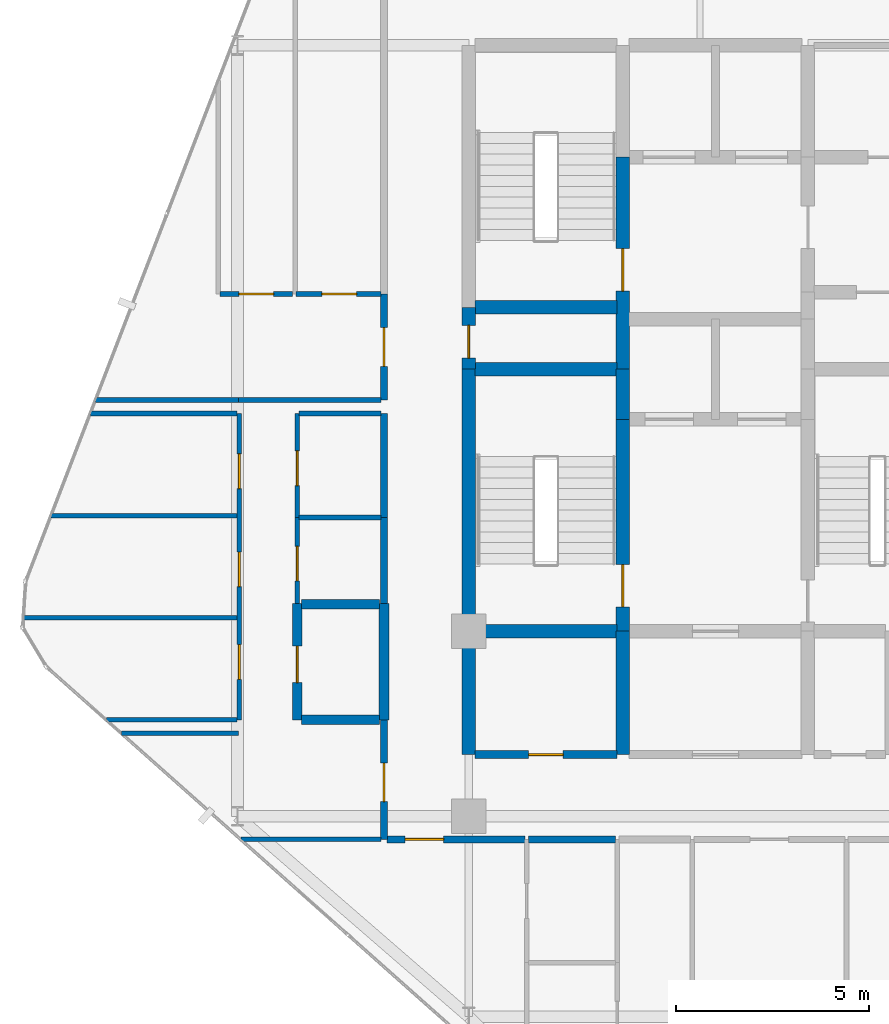
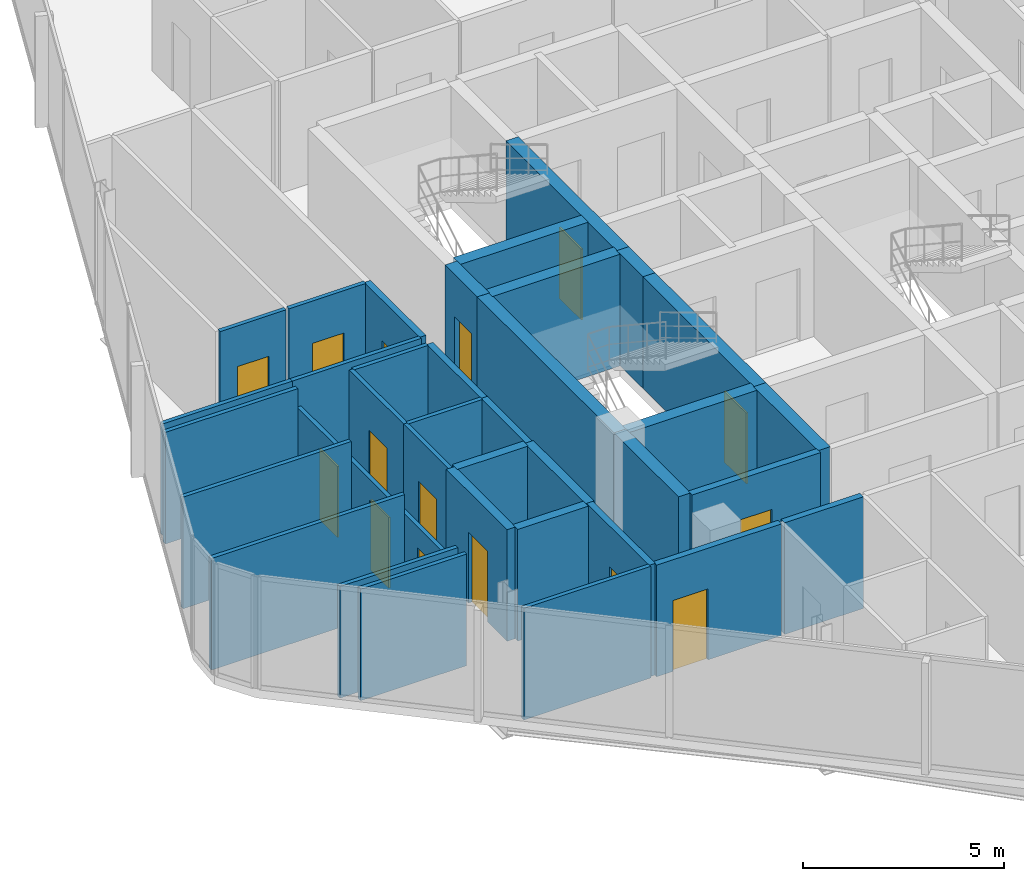
# One storey, part 25 of 31: 36 walls, 15 doors, 15 openings.
"""IFC4 building model written with IfcOpenShell, lengths in metres."""

from ifc_helpers import new_model, si_unit, direction, frame, frame_2d, origin, place, context, subcontext, project, spatial, rectangle, extrude, material, layer, layer_set, type_object, element, fill, save


model = new_model("IFC4")

# Units and contexts
model_context = context("Model", 3, precision=1e-05, world=origin(), true_north=direction((0.0, 1.0)))
body_context = subcontext(model_context, "Body", "Model", "MODEL_VIEW")
ifc_project = project(units=[si_unit("LENGTHUNIT", "METRE"), si_unit("AREAUNIT", "SQUARE_METRE"), si_unit("VOLUMEUNIT", "CUBIC_METRE"), si_unit("PLANEANGLEUNIT", "RADIAN"), si_unit("MASSUNIT", "GRAM", prefix="KILO")], contexts=[model_context])

# Site, building, storey
site_placement = place(None, origin())
site = spatial("IfcSite", under=ifc_project, at=site_placement, CompositionType="ELEMENT")
building_placement = place(site_placement, origin())
building = spatial("IfcBuilding", under=site, at=building_placement, Name="Keshet Zoharim Tower", CompositionType="ELEMENT")
storey_placement = place(building_placement, frame((0.0, 0.0, 140.89990234375)))
storey = spatial("IfcBuildingStorey", under=building, at=storey_placement, Name="L34", CompositionType="ELEMENT", Elevation=140.89990234375)

# Walls
ifc_material_1 = material(Name="Concrete C60/75", Category="concrete")
ifc_layer_1 = layer(ifc_material_1, 0.35009765625)
ifc_layer_set_1 = layer_set([ifc_layer_1], Name="Concrete C60/75")
wall_type_1 = type_object("IfcWallType", Name="WL-CORE-350", PredefinedType="SHEAR", material=ifc_layer_set_1)
wall_1_placement = place(storey_placement, frame((15.0, 19.5, 0.0), z_axis=(0.0, 0.0, 1.0), x_axis=(0.0, 1.0, 0.0)))
element("IfcWall", 1, at=wall_1_placement, inside=storey, type_object=wall_type_1, Name="L34 Core Shear Wall 013", PredefinedType="SHEAR", context=body_context, shape_type="SweptSolid", body=[
    extrude(rectangle(XDim=3.199951171875, YDim=0.35009765625, at=frame_2d((1.60009765625, 0.0))), origin(), (0.0, 0.0, 1.0), 3.385009765625),
])
wall_2_placement = place(storey_placement, frame((15.0, 22.699951171875, 0.0), z_axis=(0.0, 0.0, 1.0), x_axis=(0.0, 1.0, 0.0)))
element("IfcWall", 2, at=wall_2_placement, inside=storey, type_object=wall_type_1, Name="L34 Core Shear Wall 014", PredefinedType="SHEAR", context=body_context, shape_type="SweptSolid", body=[
    extrude(rectangle(XDim=6.800048828125, YDim=0.35009765625, at=frame_2d((3.39990234375, 0.0))), origin(), (0.0, 0.0, 1.0), 3.385009765625),
])

# Wall, opening, door
wall_3_placement = place(storey_placement, frame((15.0, 29.5, 0.0), z_axis=(0.0, 0.0, 1.0), x_axis=(0.0, 1.0, 0.0)))
wall_3 = element("IfcWall", 3, at=wall_3_placement, inside=storey, type_object=wall_type_1, Name="L34 Core Shear Wall 015", PredefinedType="SHEAR", context=body_context, shape_type="SweptSolid", body=[
    extrude(rectangle(XDim=1.60009765625, YDim=0.35009765625, at=frame_2d((0.800048828125, 0.0))), origin(), (0.0, 0.0, 1.0), 3.385009765625),
])
opening_1_placement = place(wall_3_placement, frame((0.287109375, 0.0, 0.0)))
opening_1 = element("IfcOpeningElement", 4, at=opening_1_placement, cuts=wall_3, Name="Opening D-RS85", PredefinedType="OPENING", context=body_context, shape_type="SweptSolid", body=[
    extrude(rectangle(XDim=0.85009765625, YDim=2.10009765625, at=frame_2d((0.425048828125, 1.050048828125))), frame((0.0, 0.18505859375, 0.0), z_axis=(0.0, -1.0, 0.0), x_axis=(1.0, 0.0, 0.0)), (0.0, 0.0, 1.0), 0.3701171875),
])
ifc_material_2 = material(Name="Hardwood Timber", Category="wood")
door_type_1 = type_object("IfcDoorType", Name="DR-RIS-085", OperationType="NOTDEFINED", PredefinedType="DOOR", material=ifc_material_2)
door_1_placement = place(opening_1_placement, origin())
door_1 = element("IfcDoor", 5, at=door_1_placement, inside=storey, type_object=door_type_1, Name="L34 Electrical Riser Access Cupboard Door", OperationType="SINGLE_SWING_LEFT", OverallHeight=2.10009765625, OverallWidth=0.85009765625, PredefinedType="DOOR", context=body_context, shape_type="SweptSolid", body=[
    extrude(rectangle(XDim=0.85009765625, YDim=2.10009765625, at=frame_2d((0.425048828125, 1.050048828125))), frame((0.0, 0.02490234375, 0.0), z_axis=(0.0, -1.0, 0.0), x_axis=(1.0, 0.0, 0.0)), (0.0, 0.0, 1.0), 0.050048828125),
])
fill(opening_1, door_1)

# Wall
wall_4_placement = place(storey_placement, frame((19.0, 19.5, 0.0), z_axis=(0.0, 0.0, 1.0), x_axis=(0.0, 1.0, 0.0)))
element("IfcWall", 6, at=wall_4_placement, inside=storey, type_object=wall_type_1, Name="L34 Core Shear Wall 025", PredefinedType="SHEAR", context=body_context, shape_type="SweptSolid", body=[
    extrude(rectangle(XDim=3.199951171875, YDim=0.35009765625, at=frame_2d((1.60009765625, 0.0))), origin(), (0.0, 0.0, 1.0), 3.385009765625),
])

# Wall, opening, door
wall_5_placement = place(storey_placement, frame((19.0, 22.699951171875, 0.0), z_axis=(0.0, 0.0, 1.0), x_axis=(0.0, 1.0, 0.0)))
wall_5 = element("IfcWall", 7, at=wall_5_placement, inside=storey, type_object=wall_type_1, Name="L34 Core Shear Wall 026", PredefinedType="SHEAR", context=body_context, shape_type="SweptSolid", body=[
    extrude(rectangle(XDim=5.5, YDim=0.35009765625, at=frame_2d((2.75, 0.0))), origin(), (0.0, 0.0, 1.0), 3.385009765625),
])
opening_2_placement = place(wall_5_placement, frame((0.631103515625, 0.0, 0.0)))
opening_2 = element("IfcOpeningElement", 8, at=opening_2_placement, cuts=wall_5, Name="Opening D-F611", PredefinedType="OPENING", context=body_context, shape_type="SweptSolid", body=[
    extrude(rectangle(XDim=1.10009765625, YDim=2.14990234375, at=frame_2d((0.550048828125, 1.074951171875))), frame((0.0, 0.18505859375, 0.0), z_axis=(0.0, -1.0, 0.0), x_axis=(1.0, 0.0, 0.0)), (0.0, 0.0, 1.0), 0.3701171875),
])
door_type_2 = type_object("IfcDoorType", Name="DR-FD60-110", OperationType="NOTDEFINED", PredefinedType="DOOR", material=ifc_material_2)
door_2_placement = place(opening_2_placement, origin())
door_2 = element("IfcDoor", 9, at=door_2_placement, inside=storey, type_object=door_type_2, Name="L34 Exit Stair ST-01 Fire Door", OperationType="SINGLE_SWING_RIGHT", OverallHeight=2.14990234375, OverallWidth=1.10009765625, PredefinedType="DOOR", context=body_context, shape_type="SweptSolid", body=[
    extrude(rectangle(XDim=1.10009765625, YDim=2.14990234375, at=frame_2d((0.550048828125, 1.074951171875))), frame((0.0, 0.02490234375, 0.0), z_axis=(0.0, -1.0, 0.0), x_axis=(1.0, 0.0, 0.0)), (0.0, 0.0, 1.0), 0.050048828125),
])
fill(opening_2, door_2)

# Wall
wall_6_placement = place(storey_placement, frame((19.0, 28.199951171875, 0.0), z_axis=(0.0, 0.0, 1.0), x_axis=(0.0, 1.0, 0.0)))
element("IfcWall", 10, at=wall_6_placement, inside=storey, type_object=wall_type_1, Name="L34 Core Shear Wall 027", PredefinedType="SHEAR", context=body_context, shape_type="SweptSolid", body=[
    extrude(rectangle(XDim=1.300048828125, YDim=0.35009765625, at=frame_2d((0.64990234375, 0.0))), origin(), (0.0, 0.0, 1.0), 3.385009765625),
])

# Wall, opening, door
wall_7_placement = place(storey_placement, frame((19.0, 29.5, 0.0), z_axis=(0.0, 0.0, 1.0), x_axis=(0.0, 1.0, 0.0)))
wall_7 = element("IfcWall", 11, at=wall_7_placement, inside=storey, type_object=wall_type_1, Name="L34 Core Shear Wall 028", PredefinedType="SHEAR", context=body_context, shape_type="SweptSolid", body=[
    extrude(rectangle(XDim=5.5, YDim=0.35009765625, at=frame_2d((2.75, 0.0))), origin(), (0.0, 0.0, 1.0), 3.385009765625),
])
opening_3_placement = place(wall_7_placement, frame((2.02490234375, 0.0, 0.0)))
opening_3 = element("IfcOpeningElement", 12, at=opening_3_placement, cuts=wall_7, Name="Opening D-F611", PredefinedType="OPENING", context=body_context, shape_type="SweptSolid", body=[
    extrude(rectangle(XDim=1.10009765625, YDim=2.14990234375, at=frame_2d((0.550048828125, 1.074951171875))), frame((0.0, 0.18505859375, 0.0), z_axis=(0.0, -1.0, 0.0), x_axis=(1.0, 0.0, 0.0)), (0.0, 0.0, 1.0), 0.3701171875),
])
door_3_placement = place(opening_3_placement, origin())
door_3 = element("IfcDoor", 13, at=door_3_placement, inside=storey, type_object=door_type_2, Name="L34 Exit Stair ST-02 Fire Door", OperationType="SINGLE_SWING_LEFT", OverallHeight=2.14990234375, OverallWidth=1.10009765625, PredefinedType="DOOR", context=body_context, shape_type="SweptSolid", body=[
    extrude(rectangle(XDim=1.10009765625, YDim=2.14990234375, at=frame_2d((0.550048828125, 1.074951171875))), frame((0.0, 0.02490234375, 0.0), z_axis=(0.0, -1.0, 0.0), x_axis=(1.0, 0.0, 0.0)), (0.0, 0.0, 1.0), 0.050048828125),
])
fill(opening_3, door_3)

# Walls
for number, where, z_axis, x_axis, name in (
    (14, (15.159912109375, 22.699951171875, 0.0), (0.0, 0.0, 1.0), (1.0, 0.0, 0.0), "L34 Core Shear Wall 151"),
    (15, (15.159912109375, 29.5, 0.0), (0.0, 0.0, 1.0), (1.0, 0.0, 0.0), "L34 Core Shear Wall 174"),
    (16, (15.159912109375, 31.10009765625, 0.0), (0.0, 0.0, 1.0), (1.0, 0.0, 0.0), "L34 Core Shear Wall 177"),
):
    element("IfcWall", number, at=place(storey_placement, frame(where, z_axis=z_axis, x_axis=x_axis)), inside=storey, type_object=wall_type_1, Name=name, PredefinedType="SHEAR", context=body_context, shape_type="SweptSolid", body=[
        extrude(rectangle(XDim=3.68017578125, YDim=0.35009765625, at=frame_2d((1.840087890625, 0.0))), origin(), (0.0, 0.0, 1.0), 3.385009765625),
    ])

# Wall, opening, door
ifc_material_3 = material(Name="Gypsum Plasterboard", Category="gypsum")
ifc_layer_2 = layer(ifc_material_3, 0.179931640625)
ifc_layer_set_2 = layer_set([ifc_layer_2], Name="Gypsum Plasterboard")
wall_type_2 = type_object("IfcWallType", Name="WL-CORR-180", PredefinedType="STANDARD", material=ifc_layer_set_2)
wall_8_placement = place(storey_placement, frame((12.800048828125, 17.300048828125, 0.0), z_axis=(0.0, 0.0, 1.0), x_axis=(0.0, 1.0, 0.0)))
wall_8 = element("IfcWall", 17, at=wall_8_placement, inside=storey, type_object=wall_type_2, Name="L34 Interior Wall 007", PredefinedType="STANDARD", context=body_context, shape_type="SweptSolid", body=[
    extrude(rectangle(XDim=3.099853515625, YDim=0.179931640625, at=frame_2d((1.5498046875, 0.0))), origin(), (0.0, 0.0, 1.0), 3.385009765625),
])
opening_4_placement = place(wall_8_placement, frame((0.97802734375, 0.0, 0.0)))
opening_4 = element("IfcOpeningElement", 18, at=opening_4_placement, cuts=wall_8, Name="Opening D-F310", PredefinedType="OPENING", context=body_context, shape_type="SweptSolid", body=[
    extrude(rectangle(XDim=1.0, YDim=2.14990234375, at=frame_2d((0.5, 1.074951171875))), frame((0.0, 0.10009765625, 0.0), z_axis=(0.0, -1.0, 0.0), x_axis=(1.0, 0.0, 0.0)), (0.0, 0.0, 1.0), 0.199951171875),
])
door_type_3 = type_object("IfcDoorType", Name="DR-FD30-100", OperationType="NOTDEFINED", PredefinedType="DOOR", material=ifc_material_2)
door_4_placement = place(opening_4_placement, origin())
door_4 = element("IfcDoor", 19, at=door_4_placement, inside=storey, type_object=door_type_3, Name="Apartment 3407 Entrance Door", OperationType="SINGLE_SWING_LEFT", OverallHeight=2.14990234375, OverallWidth=1.0, PredefinedType="DOOR", context=body_context, shape_type="SweptSolid", body=[
    extrude(rectangle(XDim=1.0, YDim=2.14990234375, at=frame_2d((0.5, 1.074951171875))), frame((0.0, 0.02490234375, 0.0), z_axis=(0.0, -1.0, 0.0), x_axis=(1.0, 0.0, 0.0)), (0.0, 0.0, 1.0), 0.050048828125),
])
fill(opening_4, door_4)

# Walls
wall_9_placement = place(storey_placement, frame((12.800048828125, 23.4208984375, 0.0), z_axis=(0.0, 0.0, 1.0), x_axis=(0.0, 1.0, 0.0)))
element("IfcWall", 20, at=wall_9_placement, inside=storey, type_object=wall_type_2, Name="L34 Interior Wall 009", PredefinedType="STANDARD", context=body_context, shape_type="SweptSolid", body=[
    extrude(rectangle(XDim=2.22607421875, YDim=0.179931640625, at=frame_2d((1.113037109375, 0.0))), origin(), (0.0, 0.0, 1.0), 3.385009765625),
])
wall_10_placement = place(storey_placement, frame((12.800048828125, 25.64697265625, 0.0), z_axis=(0.0, 0.0, 1.0), x_axis=(0.0, 1.0, 0.0)))
element("IfcWall", 21, at=wall_10_placement, inside=storey, type_object=wall_type_2, Name="L34 Interior Wall 010", PredefinedType="STANDARD", context=body_context, shape_type="SweptSolid", body=[
    extrude(rectangle(XDim=2.703125, YDim=0.179931640625, at=frame_2d((1.3515625, 0.0))), origin(), (0.0, 0.0, 1.0), 3.385009765625),
])

# Wall, opening, door
wall_11_placement = place(storey_placement, frame((12.800048828125, 28.699951171875, 0.0), z_axis=(0.0, 0.0, 1.0), x_axis=(0.0, 1.0, 0.0)))
wall_11 = element("IfcWall", 22, at=wall_11_placement, inside=storey, type_object=wall_type_2, Name="L34 Interior Wall 011", PredefinedType="STANDARD", context=body_context, shape_type="SweptSolid", body=[
    extrude(rectangle(XDim=2.75, YDim=0.179931640625, at=frame_2d((1.375, 0.0))), origin(), (0.0, 0.0, 1.0), 3.385009765625),
])
opening_5_placement = place(wall_11_placement, frame((0.875, 0.0, 0.0)))
opening_5 = element("IfcOpeningElement", 23, at=opening_5_placement, cuts=wall_11, Name="Opening D-F310", PredefinedType="OPENING", context=body_context, shape_type="SweptSolid", body=[
    extrude(rectangle(XDim=1.0, YDim=2.14990234375, at=frame_2d((0.5, 1.074951171875))), frame((0.0, 0.10009765625, 0.0), z_axis=(0.0, -1.0, 0.0), x_axis=(1.0, 0.0, 0.0)), (0.0, 0.0, 1.0), 0.199951171875),
])
door_5_placement = place(opening_5_placement, origin())
door_5 = element("IfcDoor", 24, at=door_5_placement, inside=storey, type_object=door_type_3, Name="Apartment 3408 Entrance Door", OperationType="SINGLE_SWING_RIGHT", OverallHeight=2.14990234375, OverallWidth=1.0, PredefinedType="DOOR", context=body_context, shape_type="SweptSolid", body=[
    extrude(rectangle(XDim=1.0, YDim=2.14990234375, at=frame_2d((0.5, 1.074951171875))), frame((0.0, 0.02490234375, 0.0), z_axis=(0.0, -1.0, 0.0), x_axis=(1.0, 0.0, 0.0)), (0.0, 0.0, 1.0), 0.050048828125),
])
fill(opening_5, door_5)

wall_12_placement = place(storey_placement, frame((12.875, 17.300048828125, 0.0), z_axis=(0.0, 0.0, 1.0), x_axis=(1.0, 0.0, 0.0)))
wall_12 = element("IfcWall", 25, at=wall_12_placement, inside=storey, type_object=wall_type_2, Name="L34 Interior Wall 129", PredefinedType="STANDARD", context=body_context, shape_type="SweptSolid", body=[
    extrude(rectangle(XDim=3.580078125, YDim=0.179931640625, at=frame_2d((1.7900390625, 0.0))), origin(), (0.0, 0.0, 1.0), 3.385009765625),
])
opening_6_placement = place(wall_12_placement, frame((0.472900390625, 0.0, 0.0)))
opening_6 = element("IfcOpeningElement", 26, at=opening_6_placement, cuts=wall_12, Name="Opening D-F310", PredefinedType="OPENING", context=body_context, shape_type="SweptSolid", body=[
    extrude(rectangle(XDim=1.0, YDim=2.14990234375, at=frame_2d((0.5, 1.074951171875))), frame((0.0, 0.10009765625, 0.0), z_axis=(0.0, -1.0, 0.0), x_axis=(1.0, 0.0, 0.0)), (0.0, 0.0, 1.0), 0.199951171875),
])
door_6_placement = place(opening_6_placement, origin())
door_6 = element("IfcDoor", 27, at=door_6_placement, inside=storey, type_object=door_type_3, Name="Apartment 3401 Entrance Door", OperationType="SINGLE_SWING_LEFT", OverallHeight=2.14990234375, OverallWidth=1.0, PredefinedType="DOOR", context=body_context, shape_type="SweptSolid", body=[
    extrude(rectangle(XDim=1.0, YDim=2.14990234375, at=frame_2d((0.5, 1.074951171875))), frame((0.0, 0.02490234375, 0.0), z_axis=(0.0, -1.0, 0.0), x_axis=(1.0, 0.0, 0.0)), (0.0, 0.0, 1.0), 0.050048828125),
])
fill(opening_6, door_6)

# Wall
wall_13_placement = place(storey_placement, frame((16.544921875, 17.300048828125, 0.0), z_axis=(0.0, 0.0, 1.0), x_axis=(1.0, 0.0, 0.0)))
element("IfcWall", 28, at=wall_13_placement, inside=storey, type_object=wall_type_2, Name="L34 Interior Wall 130", PredefinedType="STANDARD", context=body_context, shape_type="SweptSolid", body=[
    extrude(rectangle(XDim=2.260009765625, YDim=0.179931640625, at=frame_2d((1.1298828125, 0.0))), origin(), (0.0, 0.0, 1.0), 3.385009765625),
])

# Wall, opening, door
ifc_material_4 = material(Name="Concrete C50/60", Category="concrete")
ifc_layer_3 = layer(ifc_material_4, 0.199951171875)
ifc_layer_set_3 = layer_set([ifc_layer_3], Name="Concrete C50/60")
wall_type_3 = type_object("IfcWallType", Name="WL-FIRE-200", PredefinedType="STANDARD", material=ifc_layer_set_3)
wall_14_placement = place(storey_placement, frame((15.159912109375, 19.5, 0.0), z_axis=(0.0, 0.0, 1.0), x_axis=(1.0, 0.0, 0.0)))
wall_14 = element("IfcWall", 29, at=wall_14_placement, inside=storey, type_object=wall_type_3, Name="L34 Interior Wall 143", PredefinedType="STANDARD", context=body_context, shape_type="SweptSolid", body=[
    extrude(rectangle(XDim=3.68017578125, YDim=0.199951171875, at=frame_2d((1.840087890625, 0.0))), origin(), (0.0, 0.0, 1.0), 3.385009765625),
])
opening_7_placement = place(wall_14_placement, frame((1.389892578125, 0.0, 0.0)))
opening_7 = element("IfcOpeningElement", 30, at=opening_7_placement, cuts=wall_14, Name="Opening D-F690", PredefinedType="OPENING", context=body_context, shape_type="SweptSolid", body=[
    extrude(rectangle(XDim=0.89990234375, YDim=2.14990234375, at=frame_2d((0.449951171875, 1.074951171875))), frame((0.0, 0.10986328125, 0.0), z_axis=(0.0, -1.0, 0.0), x_axis=(1.0, 0.0, 0.0)), (0.0, 0.0, 1.0), 0.219970703125),
])
door_type_4 = type_object("IfcDoorType", Name="DR-FD60-090", OperationType="NOTDEFINED", PredefinedType="DOOR", material=ifc_material_2)
door_7_placement = place(opening_7_placement, origin())
door_7 = element("IfcDoor", 31, at=door_7_placement, inside=storey, type_object=door_type_4, Name="L34 Refuse Room Door", OperationType="SINGLE_SWING_RIGHT", OverallHeight=2.14990234375, OverallWidth=0.89990234375, PredefinedType="DOOR", context=body_context, shape_type="SweptSolid", body=[
    extrude(rectangle(XDim=0.89990234375, YDim=2.14990234375, at=frame_2d((0.449951171875, 1.074951171875))), frame((0.0, 0.02490234375, 0.0), z_axis=(0.0, -1.0, 0.0), x_axis=(1.0, 0.0, 0.0)), (0.0, 0.0, 1.0), 0.050048828125),
])
fill(opening_7, door_7)

ifc_layer_4 = layer(ifc_material_4, 0.25)
ifc_layer_set_4 = layer_set([ifc_layer_4], Name="Concrete C50/60")
wall_type_4 = type_object("IfcWallType", Name="WL-MAMAD-250", PredefinedType="STANDARD", material=ifc_layer_set_4)
wall_15_placement = place(storey_placement, frame((10.550048828125, 20.39990234375, 0.0), z_axis=(0.0, 0.0, 1.0), x_axis=(0.0, 1.0, 0.0)))
wall_15 = element("IfcWall", 32, at=wall_15_placement, inside=storey, type_object=wall_type_4, Name="L34 Interior Wall 004", PredefinedType="STANDARD", context=body_context, shape_type="SweptSolid", body=[
    extrude(rectangle(XDim=3.02099609375, YDim=0.25, at=frame_2d((1.510498046875, 0.0))), origin(), (0.0, 0.0, 1.0), 3.385009765625),
])
opening_8_placement = place(wall_15_placement, frame((0.964111328125, 0.0, 0.0)))
opening_8 = element("IfcOpeningElement", 33, at=opening_8_placement, cuts=wall_15, Name="Opening D-F695", PredefinedType="OPENING", context=body_context, shape_type="SweptSolid", body=[
    extrude(rectangle(XDim=0.949951171875, YDim=2.14990234375, at=frame_2d((0.47509765625, 1.074951171875))), frame((0.0, 0.135009765625, 0.0), z_axis=(0.0, -1.0, 0.0), x_axis=(1.0, 0.0, 0.0)), (0.0, 0.0, 1.0), 0.27001953125),
])
door_type_5 = type_object("IfcDoorType", Name="DR-FD60-095", OperationType="NOTDEFINED", PredefinedType="DOOR", material=ifc_material_2)
door_8_placement = place(opening_8_placement, origin())
door_8 = element("IfcDoor", 34, at=door_8_placement, inside=storey, type_object=door_type_5, Name="Apartment 3407 Study and Shelter Room Door", OperationType="SINGLE_SWING_RIGHT", OverallHeight=2.14990234375, OverallWidth=0.949951171875, PredefinedType="DOOR", context=body_context, shape_type="SweptSolid", body=[
    extrude(rectangle(XDim=0.949951171875, YDim=2.14990234375, at=frame_2d((0.47509765625, 1.074951171875))), frame((0.0, 0.02490234375, 0.0), z_axis=(0.0, -1.0, 0.0), x_axis=(1.0, 0.0, 0.0)), (0.0, 0.0, 1.0), 0.050048828125),
])
fill(opening_8, door_8)

# Walls
wall_16_placement = place(storey_placement, frame((12.800048828125, 20.39990234375, 0.0), z_axis=(0.0, 0.0, 1.0), x_axis=(0.0, 1.0, 0.0)))
element("IfcWall", 35, at=wall_16_placement, inside=storey, type_object=wall_type_4, Name="L34 Interior Wall 008", PredefinedType="STANDARD", context=body_context, shape_type="SweptSolid", body=[
    extrude(rectangle(XDim=3.02099609375, YDim=0.25, at=frame_2d((1.510498046875, 0.0))), origin(), (0.0, 0.0, 1.0), 3.385009765625),
])
for number, where, z_axis, x_axis, name in (
    (36, (10.659912109375, 20.39990234375, 0.0), (0.0, 0.0, 1.0), (1.0, 0.0, 0.0), "L34 Interior Wall 150"),
    (37, (10.659912109375, 23.39990234375, 0.0), (0.0, 0.0, 1.0), (1.0, 0.0, 0.0), "L34 Interior Wall 158"),
):
    element("IfcWall", number, at=place(storey_placement, frame(where, z_axis=z_axis, x_axis=x_axis)), inside=storey, type_object=wall_type_4, Name=name, PredefinedType="STANDARD", context=body_context, shape_type="SweptSolid", body=[
        extrude(rectangle(XDim=2.030029296875, YDim=0.25, at=frame_2d((1.01513671875, 0.0))), origin(), (0.0, 0.0, 1.0), 3.385009765625),
    ])

# Wall, openings, doors
ifc_layer_5 = layer(ifc_material_3, 0.1201171875)
ifc_layer_set_5 = layer_set([ifc_layer_5], Name="Gypsum Plasterboard")
wall_type_5 = type_object("IfcWallType", Name="WL-PART-120", PredefinedType="PARTITIONING", material=ifc_layer_set_5)
wall_17_placement = place(storey_placement, frame((9.050048828125, 20.39990234375, 0.0), z_axis=(0.0, 0.0, 1.0), x_axis=(0.0, 1.0, 0.0)))
wall_17 = element("IfcWall", 38, at=wall_17_placement, inside=storey, type_object=wall_type_5, Name="L34 Interior Wall 002", PredefinedType="PARTITIONING", context=body_context, shape_type="SweptSolid", body=[
    extrude(rectangle(XDim=7.9501953125, YDim=0.1201171875, at=frame_2d((3.97509765625, 0.0))), origin(), (0.0, 0.0, 1.0), 2.78515625),
])
opening_9_placement = place(wall_17_placement, frame((1.050048828125, 0.0, 0.0)))
opening_9 = element("IfcOpeningElement", 39, at=opening_9_placement, cuts=wall_17, Name="Opening D-IN90", PredefinedType="OPENING", context=body_context, shape_type="SweptSolid", body=[
    extrude(rectangle(XDim=0.89990234375, YDim=2.14990234375, at=frame_2d((0.449951171875, 1.074951171875))), frame((0.0, 0.070068359375, 0.0), z_axis=(0.0, -1.0, 0.0), x_axis=(1.0, 0.0, 0.0)), (0.0, 0.0, 1.0), 0.14013671875),
])
opening_10_placement = place(wall_17_placement, frame((3.455078125, 0.0, 0.0)))
opening_10 = element("IfcOpeningElement", 40, at=opening_10_placement, cuts=wall_17, Name="Opening D-IN90", PredefinedType="OPENING", context=body_context, shape_type="SweptSolid", body=[
    extrude(rectangle(XDim=0.89990234375, YDim=2.14990234375, at=frame_2d((0.449951171875, 1.074951171875))), frame((0.0, 0.070068359375, 0.0), z_axis=(0.0, -1.0, 0.0), x_axis=(1.0, 0.0, 0.0)), (0.0, 0.0, 1.0), 0.14013671875),
])
opening_11_placement = place(wall_17_placement, frame((6.0, 0.0, 0.0)))
opening_11 = element("IfcOpeningElement", 41, at=opening_11_placement, cuts=wall_17, Name="Opening D-IN90", PredefinedType="OPENING", context=body_context, shape_type="SweptSolid", body=[
    extrude(rectangle(XDim=0.89990234375, YDim=2.14990234375, at=frame_2d((0.449951171875, 1.074951171875))), frame((0.0, 0.070068359375, 0.0), z_axis=(0.0, -1.0, 0.0), x_axis=(1.0, 0.0, 0.0)), (0.0, 0.0, 1.0), 0.14013671875),
])
door_type_6 = type_object("IfcDoorType", Name="DR-INT-090", OperationType="NOTDEFINED", PredefinedType="DOOR", material=ifc_material_2)
door_9_placement = place(opening_9_placement, origin())
door_9 = element("IfcDoor", 42, at=door_9_placement, inside=storey, type_object=door_type_6, Name="Apartment 3407 Bedroom 1 Door", OperationType="SINGLE_SWING_LEFT", OverallHeight=2.14990234375, OverallWidth=0.89990234375, PredefinedType="DOOR", context=body_context, shape_type="SweptSolid", body=[
    extrude(rectangle(XDim=0.89990234375, YDim=2.14990234375, at=frame_2d((0.449951171875, 1.074951171875))), frame((0.0, 0.02490234375, 0.0), z_axis=(0.0, -1.0, 0.0), x_axis=(1.0, 0.0, 0.0)), (0.0, 0.0, 1.0), 0.050048828125),
])
fill(opening_9, door_9)
door_10_placement = place(opening_10_placement, origin())
door_10 = element("IfcDoor", 43, at=door_10_placement, inside=storey, type_object=door_type_6, Name="Apartment 3407 Bedroom 2 Door", OperationType="SINGLE_SWING_RIGHT", OverallHeight=2.14990234375, OverallWidth=0.89990234375, PredefinedType="DOOR", context=body_context, shape_type="SweptSolid", body=[
    extrude(rectangle(XDim=0.89990234375, YDim=2.14990234375, at=frame_2d((0.449951171875, 1.074951171875))), frame((0.0, 0.02490234375, 0.0), z_axis=(0.0, -1.0, 0.0), x_axis=(1.0, 0.0, 0.0)), (0.0, 0.0, 1.0), 0.050048828125),
])
fill(opening_10, door_10)
door_11_placement = place(opening_11_placement, origin())
door_11 = element("IfcDoor", 44, at=door_11_placement, inside=storey, type_object=door_type_6, Name="Apartment 3407 Bedroom 3 Door", OperationType="SINGLE_SWING_LEFT", OverallHeight=2.14990234375, OverallWidth=0.89990234375, PredefinedType="DOOR", context=body_context, shape_type="SweptSolid", body=[
    extrude(rectangle(XDim=0.89990234375, YDim=2.14990234375, at=frame_2d((0.449951171875, 1.074951171875))), frame((0.0, 0.02490234375, 0.0), z_axis=(0.0, -1.0, 0.0), x_axis=(1.0, 0.0, 0.0)), (0.0, 0.0, 1.0), 0.050048828125),
])
fill(opening_11, door_11)

# Wall, opening, door
wall_18_placement = place(storey_placement, frame((10.550048828125, 25.64697265625, 0.0), z_axis=(0.0, 0.0, 1.0), x_axis=(0.0, 1.0, 0.0)))
wall_18 = element("IfcWall", 45, at=wall_18_placement, inside=storey, type_object=wall_type_5, Name="L34 Interior Wall 006", PredefinedType="PARTITIONING", context=body_context, shape_type="SweptSolid", body=[
    extrude(rectangle(XDim=2.703125, YDim=0.1201171875, at=frame_2d((1.3515625, 0.0))), origin(), (0.0, 0.0, 1.0), 3.385009765625),
])
opening_12_placement = place(wall_18_placement, frame((0.830078125, 0.0, 0.0)))
opening_12 = element("IfcOpeningElement", 46, at=opening_12_placement, cuts=wall_18, Name="Opening D-IN90", PredefinedType="OPENING", context=body_context, shape_type="SweptSolid", body=[
    extrude(rectangle(XDim=0.89990234375, YDim=2.14990234375, at=frame_2d((0.449951171875, 1.074951171875))), frame((0.0, 0.070068359375, 0.0), z_axis=(0.0, -1.0, 0.0), x_axis=(1.0, 0.0, 0.0)), (0.0, 0.0, 1.0), 0.14013671875),
])
door_12_placement = place(opening_12_placement, origin())
door_12 = element("IfcDoor", 47, at=door_12_placement, inside=storey, type_object=door_type_6, Name="Apartment 3407 Kitchen Door", OperationType="SINGLE_SWING_RIGHT", OverallHeight=2.14990234375, OverallWidth=0.89990234375, PredefinedType="DOOR", context=body_context, shape_type="SweptSolid", body=[
    extrude(rectangle(XDim=0.89990234375, YDim=2.14990234375, at=frame_2d((0.449951171875, 1.074951171875))), frame((0.0, 0.02490234375, 0.0), z_axis=(0.0, -1.0, 0.0), x_axis=(1.0, 0.0, 0.0)), (0.0, 0.0, 1.0), 0.050048828125),
])
fill(opening_12, door_12)

# Walls
wall_19_placement = place(storey_placement, frame((9.0849609375, 17.300048828125, 0.0), z_axis=(0.0, 0.0, 1.0), x_axis=(1.0, 0.0, 0.0)))
element("IfcWall", 48, at=wall_19_placement, inside=storey, type_object=wall_type_5, Name="L34 Interior Wall 128", PredefinedType="PARTITIONING", context=body_context, shape_type="SweptSolid", body=[
    extrude(rectangle(XDim=3.64013671875, YDim=0.1201171875, at=frame_2d((1.820068359375, 0.0))), origin(), (0.0, 0.0, 1.0), 3.385009765625),
])
wall_20_placement = place(storey_placement, frame((5.990966796875, 20.050048828125, 0.0), z_axis=(0.0, 0.0, 1.0), x_axis=(1.0, 0.0, 0.0)))
element("IfcWall", 49, at=wall_20_placement, inside=storey, type_object=wall_type_5, Name="L34 Interior Wall 148", PredefinedType="PARTITIONING", context=body_context, shape_type="SweptSolid", body=[
    extrude(rectangle(XDim=3.0390625, YDim=0.1201171875, at=frame_2d((1.51953125, 0.0))), origin(), (0.0, 0.0, 1.0), 3.385009765625),
])
wall_21_placement = place(storey_placement, frame((5.597900390625, 20.39990234375, 0.0), z_axis=(0.0, 0.0, 1.0), x_axis=(1.0, 0.0, 0.0)))
element("IfcWall", 50, at=wall_21_placement, inside=storey, type_object=wall_type_5, Name="L34 Interior Wall 149", PredefinedType="PARTITIONING", context=body_context, shape_type="SweptSolid", body=[
    extrude(rectangle(XDim=3.38720703125, YDim=0.1201171875, at=frame_2d((1.693603515625, 0.0))), origin(), (0.0, 0.0, 1.0), 3.385009765625),
])
wall_22_placement = place(storey_placement, frame((3.446044921875, 23.050048828125, 0.0), z_axis=(0.0, 0.0, 1.0), x_axis=(1.0, 0.0, 0.0)))
element("IfcWall", 51, at=wall_22_placement, inside=storey, type_object=wall_type_5, Name="L34 Interior Wall 156", PredefinedType="PARTITIONING", context=body_context, shape_type="SweptSolid", body=[
    extrude(rectangle(XDim=5.5390625, YDim=0.1201171875, at=frame_2d((2.76953125, 0.0))), origin(), (0.0, 0.0, 1.0), 3.385009765625),
])
wall_23_placement = place(storey_placement, frame((4.1640625, 25.699951171875, 0.0), z_axis=(0.0, 0.0, 1.0), x_axis=(1.0, 0.0, 0.0)))
element("IfcWall", 52, at=wall_23_placement, inside=storey, type_object=wall_type_5, Name="L34 Interior Wall 161", PredefinedType="PARTITIONING", context=body_context, shape_type="SweptSolid", body=[
    extrude(rectangle(XDim=4.821044921875, YDim=0.1201171875, at=frame_2d((2.41064453125, 0.0))), origin(), (0.0, 0.0, 1.0), 3.385009765625),
])
wall_24_placement = place(storey_placement, frame((5.18310546875, 28.35009765625, 0.0), z_axis=(0.0, 0.0, 1.0), x_axis=(1.0, 0.0, 0.0)))
element("IfcWall", 53, at=wall_24_placement, inside=storey, type_object=wall_type_5, Name="L34 Interior Wall 166", PredefinedType="PARTITIONING", context=body_context, shape_type="SweptSolid", body=[
    extrude(rectangle(XDim=3.802001953125, YDim=0.1201171875, at=frame_2d((1.90087890625, 0.0))), origin(), (0.0, 0.0, 1.0), 3.385009765625),
])
wall_25_placement = place(storey_placement, frame((10.594970703125, 28.35009765625, 0.0), z_axis=(0.0, 0.0, 1.0), x_axis=(1.0, 0.0, 0.0)))
element("IfcWall", 54, at=wall_25_placement, inside=storey, type_object=wall_type_5, Name="L34 Interior Wall 167", PredefinedType="PARTITIONING", context=body_context, shape_type="SweptSolid", body=[
    extrude(rectangle(XDim=2.130126953125, YDim=0.1201171875, at=frame_2d((1.06494140625, 0.0))), origin(), (0.0, 0.0, 1.0), 3.385009765625),
])
wall_26_placement = place(storey_placement, frame((5.31689453125, 28.699951171875, 0.0), z_axis=(0.0, 0.0, 1.0), x_axis=(1.0, 0.0, 0.0)))
element("IfcWall", 55, at=wall_26_placement, inside=storey, type_object=wall_type_5, Name="L34 Interior Wall 168", PredefinedType="PARTITIONING", context=body_context, shape_type="SweptSolid", body=[
    extrude(rectangle(XDim=3.713134765625, YDim=0.1201171875, at=frame_2d((1.8564453125, 0.0))), origin(), (0.0, 0.0, 1.0), 3.385009765625),
])
wall_27_placement = place(storey_placement, frame((9.030029296875, 28.699951171875, 0.0), z_axis=(0.0, 0.0, 1.0), x_axis=(1.0, 0.0, 0.0)))
element("IfcWall", 56, at=wall_27_placement, inside=storey, type_object=wall_type_5, Name="L34 Interior Wall 169", PredefinedType="PARTITIONING", context=body_context, shape_type="SweptSolid", body=[
    extrude(rectangle(XDim=3.695068359375, YDim=0.1201171875, at=frame_2d((1.84765625, 0.0))), origin(), (0.0, 0.0, 1.0), 3.385009765625),
])

# Wall, opening, door
wall_28_placement = place(storey_placement, frame((8.544921875, 31.449951171875, 0.0), z_axis=(0.0, 0.0, 1.0), x_axis=(1.0, 0.0, 0.0)))
wall_28 = element("IfcWall", 57, at=wall_28_placement, inside=storey, type_object=wall_type_5, Name="L34 Interior Wall 178", PredefinedType="PARTITIONING", context=body_context, shape_type="SweptSolid", body=[
    extrude(rectangle(XDim=1.88818359375, YDim=0.1201171875, at=frame_2d((0.944091796875, 0.0))), origin(), (0.0, 0.0, 1.0), 3.385009765625),
])
opening_13_placement = place(wall_28_placement, frame((0.493896484375, 0.0, 0.0)))
opening_13 = element("IfcOpeningElement", 58, at=opening_13_placement, cuts=wall_28, Name="Opening D-IN90", PredefinedType="OPENING", context=body_context, shape_type="SweptSolid", body=[
    extrude(rectangle(XDim=0.89990234375, YDim=2.14990234375, at=frame_2d((0.449951171875, 1.074951171875))), frame((0.0, 0.070068359375, 0.0), z_axis=(0.0, -1.0, 0.0), x_axis=(1.0, 0.0, 0.0)), (0.0, 0.0, 1.0), 0.14013671875),
])
door_13_placement = place(opening_13_placement, origin())
door_13 = element("IfcDoor", 59, at=door_13_placement, inside=storey, type_object=door_type_6, Name="Apartment 3408 Kitchen Door", OperationType="SINGLE_SWING_RIGHT", OverallHeight=2.14990234375, OverallWidth=0.89990234375, PredefinedType="DOOR", context=body_context, shape_type="SweptSolid", body=[
    extrude(rectangle(XDim=0.89990234375, YDim=2.14990234375, at=frame_2d((0.449951171875, 1.074951171875))), frame((0.0, 0.02490234375, 0.0), z_axis=(0.0, -1.0, 0.0), x_axis=(1.0, 0.0, 0.0)), (0.0, 0.0, 1.0), 0.050048828125),
])
fill(opening_13, door_13)

ifc_layer_6 = layer(ifc_material_3, 0.1201171875)
ifc_layer_set_6 = layer_set([ifc_layer_6], Name="Gypsum Plasterboard")
wall_type_6 = type_object("IfcWallType", Name="WL-WET-120", PredefinedType="PARTITIONING", material=ifc_layer_set_6)
wall_29_placement = place(storey_placement, frame((10.550048828125, 23.4208984375, 0.0), z_axis=(0.0, 0.0, 1.0), x_axis=(0.0, 1.0, 0.0)))
wall_29 = element("IfcWall", 60, at=wall_29_placement, inside=storey, type_object=wall_type_6, Name="L34 Interior Wall 005", PredefinedType="PARTITIONING", context=body_context, shape_type="SweptSolid", body=[
    extrude(rectangle(XDim=2.22607421875, YDim=0.1201171875, at=frame_2d((1.113037109375, 0.0))), origin(), (0.0, 0.0, 1.0), 3.385009765625),
])
opening_14_placement = place(wall_29_placement, frame((0.583984375, 0.0, 0.0)))
opening_14 = element("IfcOpeningElement", 61, at=opening_14_placement, cuts=wall_29, Name="Opening D-WT90", PredefinedType="OPENING", context=body_context, shape_type="SweptSolid", body=[
    extrude(rectangle(XDim=0.89990234375, YDim=2.10009765625, at=frame_2d((0.449951171875, 1.050048828125))), frame((0.0, 0.070068359375, 0.0), z_axis=(0.0, -1.0, 0.0), x_axis=(1.0, 0.0, 0.0)), (0.0, 0.0, 1.0), 0.14013671875),
])
door_type_7 = type_object("IfcDoorType", Name="DR-WET-090", OperationType="NOTDEFINED", PredefinedType="DOOR", material=ifc_material_2)
door_14_placement = place(opening_14_placement, origin())
door_14 = element("IfcDoor", 62, at=door_14_placement, inside=storey, type_object=door_type_7, Name="Apartment 3407 Bathroom Door", OperationType="SINGLE_SWING_LEFT", OverallHeight=2.10009765625, OverallWidth=0.89990234375, PredefinedType="DOOR", context=body_context, shape_type="SweptSolid", body=[
    extrude(rectangle(XDim=0.89990234375, YDim=2.10009765625, at=frame_2d((0.449951171875, 1.050048828125))), frame((0.0, 0.02490234375, 0.0), z_axis=(0.0, -1.0, 0.0), x_axis=(1.0, 0.0, 0.0)), (0.0, 0.0, 1.0), 0.050048828125),
])
fill(opening_14, door_14)

# Wall
wall_30_placement = place(storey_placement, frame((10.594970703125, 25.64990234375, 0.0), z_axis=(0.0, 0.0, 1.0), x_axis=(1.0, 0.0, 0.0)))
element("IfcWall", 63, at=wall_30_placement, inside=storey, type_object=wall_type_6, Name="L34 Interior Wall 160", PredefinedType="PARTITIONING", context=body_context, shape_type="SweptSolid", body=[
    extrude(rectangle(XDim=2.130126953125, YDim=0.1201171875, at=frame_2d((1.06494140625, 0.0))), origin(), (0.0, 0.0, 1.0), 3.385009765625),
])

# Wall, opening, door
wall_31_placement = place(storey_placement, frame((10.52294921875, 31.449951171875, 0.0), z_axis=(0.0, 0.0, 1.0), x_axis=(1.0, 0.0, 0.0)))
wall_31 = element("IfcWall", 64, at=wall_31_placement, inside=storey, type_object=wall_type_6, Name="L34 Interior Wall 179", PredefinedType="PARTITIONING", context=body_context, shape_type="SweptSolid", body=[
    extrude(rectangle(XDim=2.2021484375, YDim=0.1201171875, at=frame_2d((1.10107421875, 0.0))), origin(), (0.0, 0.0, 1.0), 3.385009765625),
])
opening_15_placement = place(wall_31_placement, frame((0.666015625, 0.0, 0.0)))
opening_15 = element("IfcOpeningElement", 65, at=opening_15_placement, cuts=wall_31, Name="Opening D-WT90", PredefinedType="OPENING", context=body_context, shape_type="SweptSolid", body=[
    extrude(rectangle(XDim=0.89990234375, YDim=2.10009765625, at=frame_2d((0.449951171875, 1.050048828125))), frame((0.0, 0.070068359375, 0.0), z_axis=(0.0, -1.0, 0.0), x_axis=(1.0, 0.0, 0.0)), (0.0, 0.0, 1.0), 0.14013671875),
])
door_15_placement = place(opening_15_placement, origin())
door_15 = element("IfcDoor", 66, at=door_15_placement, inside=storey, type_object=door_type_7, Name="Apartment 3408 Bathroom Door", OperationType="SINGLE_SWING_LEFT", OverallHeight=2.10009765625, OverallWidth=0.89990234375, PredefinedType="DOOR", context=body_context, shape_type="SweptSolid", body=[
    extrude(rectangle(XDim=0.89990234375, YDim=2.10009765625, at=frame_2d((0.449951171875, 1.050048828125))), frame((0.0, 0.02490234375, 0.0), z_axis=(0.0, -1.0, 0.0), x_axis=(1.0, 0.0, 0.0)), (0.0, 0.0, 1.0), 0.050048828125),
])
fill(opening_15, door_15)

save(model, "model.ifc")
